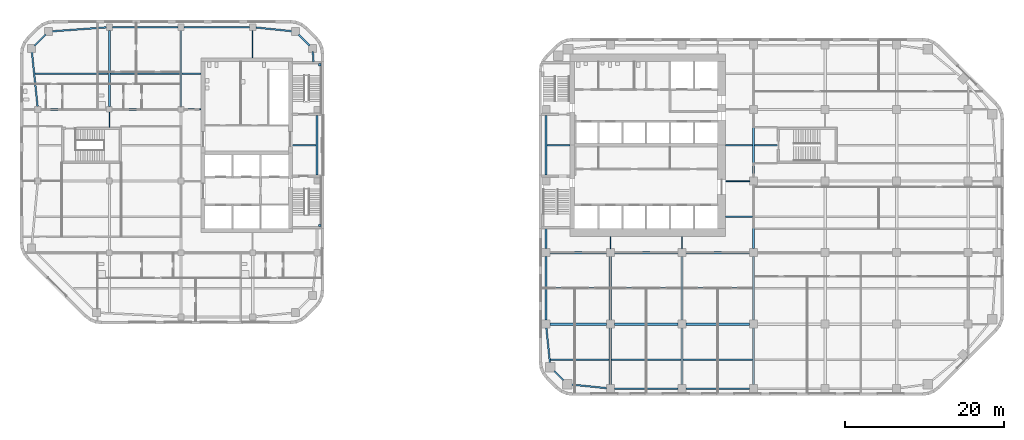
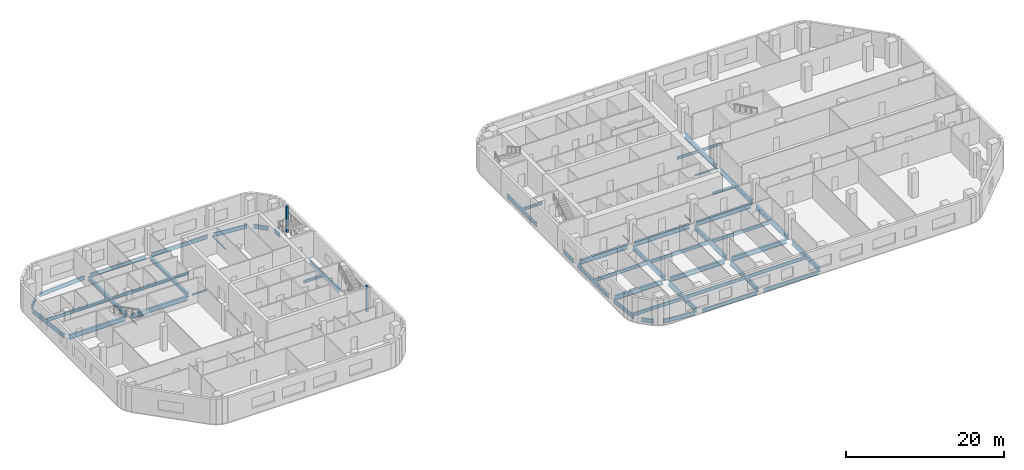
# One storey, part 2 of 16: 55 beams, 2 members.
"""IFC4 building model written with IfcOpenShell, lengths in metres."""

from ifc_helpers import new_model, si_unit, direction, frame, origin, origin_2d, place, context, subcontext, project, spatial, rectangle, i_section, extrude, material, material_profile, profile_set, type_object, element, save


model = new_model("IFC4")

# Units and contexts
model_context = context("Model", 3, precision=1e-05, world=origin(), true_north=direction((0.0, 1.0)))
body_context = subcontext(model_context, "Body", "Model", "MODEL_VIEW")
ifc_project = project(units=[si_unit("LENGTHUNIT", "METRE"), si_unit("AREAUNIT", "SQUARE_METRE"), si_unit("VOLUMEUNIT", "CUBIC_METRE"), si_unit("PLANEANGLEUNIT", "RADIAN"), si_unit("MASSUNIT", "GRAM", prefix="KILO")], contexts=[model_context])

# Site, building, storey
site_placement = place(None, origin())
site = spatial("IfcSite", under=ifc_project, at=site_placement, CompositionType="ELEMENT")
building_placement = place(site_placement, origin())
building = spatial("IfcBuilding", under=site, at=building_placement, Name="Cinnabar Reach Civic Tower", CompositionType="ELEMENT")
storey_placement = place(building_placement, frame((0.0, 0.0, 83.0)))
storey = spatial("IfcBuildingStorey", under=building, at=storey_placement, Name="L19", CompositionType="ELEMENT", Elevation=83.0)

# Beams
ifc_material_1 = material(Name="Steel Q355B", Category="steel")
ifc_material_profile_1 = material_profile(ifc_material_1, i_section(OverallWidth=0.302, OverallDepth=0.594, WebThickness=0.014, FlangeThickness=0.023, FilletRadius=0.016, at=origin_2d()), Name="HM594x302x14x23")
ifc_profile_set_1 = profile_set([ifc_material_profile_1], Name="Steel Q355B")
beam_type_1 = type_object("IfcBeamType", Name="HM594x302x14x23 beam R 120", PredefinedType="BEAM", material=ifc_profile_set_1)
for number, where, z_axis, x_axis, name in (
    (1, (-54.0, 36.352, -0.447), (0.0, 1.0, 0.0), (-1.0, 0.0, 0.0), "Girder T2 L19 5"),
    (2, (-45.0, 36.352, -0.447), (0.0, 1.0, 0.0), (-1.0, 0.0, 0.0), "Girder T2 L19 9"),
):
    element("IfcBeam", number, at=place(storey_placement, frame(where, z_axis=z_axis, x_axis=x_axis)), inside=storey, type_object=beam_type_1, Name=name, PredefinedType="BEAM", context=body_context, shape_type="SweptSolid", body=[
        extrude(i_section(OverallWidth=0.302, OverallDepth=0.594, WebThickness=0.014, FlangeThickness=0.023, FilletRadius=0.016, at=origin_2d()), origin(), (0.0, 0.0, 1.0), 9.596),
    ])
ifc_material_profile_2 = material_profile(ifc_material_1, i_section(OverallWidth=0.099, OverallDepth=0.198, WebThickness=0.0045, FlangeThickness=0.007, FilletRadius=0.013, at=origin_2d()), Name="HN200x100x5.5x8")
ifc_profile_set_2 = profile_set([ifc_material_profile_2], Name="Steel Q355B")
beam_type_2 = type_object("IfcBeamType", Name="HN200x100x5.5x8 beam R 120", PredefinedType="BEAM", material=ifc_profile_set_2)
beam_1_placement = place(storey_placement, frame((-54.0, 33.752, -0.249), z_axis=(0.0, 1.0, 0.0), x_axis=(-1.0, 0.0, 0.0)))
element("IfcBeam", 3, at=beam_1_placement, inside=storey, type_object=beam_type_2, Name="Girder T2 L19 4", PredefinedType="BEAM", context=body_context, shape_type="SweptSolid", body=[
    extrude(i_section(OverallWidth=0.099, OverallDepth=0.198, WebThickness=0.0045, FlangeThickness=0.007, FilletRadius=0.013, at=origin_2d()), origin(), (0.0, 0.0, 1.0), 1.896),
])
beam_2_placement = place(storey_placement, frame((-36.0, 42.502, -0.249), z_axis=(0.0, 1.0, 0.0), x_axis=(-1.0, 0.0, 0.0)))
element("IfcBeam", 4, at=beam_2_placement, inside=storey, type_object=beam_type_2, Name="Girder T2 L19 12", PredefinedType="BEAM", context=body_context, shape_type="SweptSolid", body=[
    extrude(i_section(OverallWidth=0.099, OverallDepth=0.198, WebThickness=0.0045, FlangeThickness=0.007, FilletRadius=0.013, at=origin_2d()), origin(), (0.0, 0.0, 1.0), 3.446),
])
ifc_material_profile_3 = material_profile(ifc_material_1, i_section(OverallWidth=0.099, OverallDepth=0.198, WebThickness=0.0045, FlangeThickness=0.007, FilletRadius=0.013, at=origin_2d()), Name="HN200x100x5.5x8")
ifc_profile_set_3 = profile_set([ifc_material_profile_3], Name="Steel Q355B")
beam_type_3 = type_object("IfcBeamType", Name="HN200x100x5.5x8 beam R 180", PredefinedType="BEAM", material=ifc_profile_set_3)
for number, where, z_axis, x_axis, name in (
    (5, (9.0, 18.502, -0.249), (0.0, 1.0, 0.0), (-1.0, 0.0, 0.0), "Girder T1 L19 3"),
    (6, (18.0, 18.502, -0.249), (0.0, 1.0, 0.0), (-1.0, 0.0, 0.0), "Girder T1 L19 6"),
):
    element("IfcBeam", number, at=place(storey_placement, frame(where, z_axis=z_axis, x_axis=x_axis)), inside=storey, type_object=beam_type_3, Name=name, PredefinedType="BEAM", context=body_context, shape_type="SweptSolid", body=[
        extrude(i_section(OverallWidth=0.099, OverallDepth=0.198, WebThickness=0.0045, FlangeThickness=0.007, FilletRadius=0.013, at=origin_2d()), origin(), (0.0, 0.0, 1.0), 1.496),
    ])
ifc_material_profile_4 = material_profile(ifc_material_1, i_section(OverallWidth=0.124, OverallDepth=0.248, WebThickness=0.005, FlangeThickness=0.008, FilletRadius=0.013, at=origin_2d()), Name="HN250x125x6x9")
ifc_profile_set_4 = profile_set([ifc_material_profile_4], Name="Steel Q355B")
beam_type_4 = type_object("IfcBeamType", Name="HN250x125x6x9 beam R 120", PredefinedType="BEAM", material=ifc_profile_set_4)
beam_3_placement = place(storey_placement, frame((-44.648, 36.0, -0.274), z_axis=(1.0, 0.0, 0.0), x_axis=(0.0, 1.0, 0.0)))
element("IfcBeam", 7, at=beam_3_placement, inside=storey, type_object=beam_type_4, Name="Girder T2 L19 10", PredefinedType="BEAM", context=body_context, shape_type="SweptSolid", body=[
    extrude(i_section(OverallWidth=0.124, OverallDepth=0.248, WebThickness=0.005, FlangeThickness=0.008, FilletRadius=0.013, at=origin_2d()), origin(), (0.0, 0.0, 1.0), 2.146),
])
ifc_material_profile_5 = material_profile(ifc_material_1, i_section(OverallWidth=0.124, OverallDepth=0.248, WebThickness=0.005, FlangeThickness=0.008, FilletRadius=0.013, at=origin_2d()), Name="HN250x125x6x9")
ifc_profile_set_5 = profile_set([ifc_material_profile_5], Name="Steel Q355B")
beam_type_5 = type_object("IfcBeamType", Name="HN250x125x6x9 beam R 180", PredefinedType="BEAM", material=ifc_profile_set_5)
beam_4_placement = place(storey_placement, frame((23.502, 27.0, -0.274), z_axis=(1.0, 0.0, 0.0), x_axis=(0.0, 1.0, 0.0)))
element("IfcBeam", 8, at=beam_4_placement, inside=storey, type_object=beam_type_5, Name="Girder T1 L19 15", PredefinedType="BEAM", context=body_context, shape_type="SweptSolid", body=[
    extrude(i_section(OverallWidth=0.124, OverallDepth=0.248, WebThickness=0.005, FlangeThickness=0.008, FilletRadius=0.013, at=origin_2d()), origin(), (0.0, 0.0, 1.0), 2.996),
])
ifc_material_profile_6 = material_profile(ifc_material_1, i_section(OverallWidth=0.199, OverallDepth=0.396, WebThickness=0.007, FlangeThickness=0.011, FilletRadius=0.013, at=origin_2d()), Name="HN396x199x7x11")
ifc_profile_set_6 = profile_set([ifc_material_profile_6], Name="Steel Q355B")
beam_type_6 = type_object("IfcBeamType", Name="HN396x199x7x11 beam R 120", PredefinedType="BEAM", material=ifc_profile_set_6)
beam_5_placement = place(storey_placement, frame((-30.998, 31.5, -0.348), z_axis=(1.0, 0.0, 0.0), x_axis=(0.0, 1.0, 0.0)))
element("IfcBeam", 9, at=beam_5_placement, inside=storey, type_object=beam_type_6, Name="Secondary beam T2 L19 11", PredefinedType="BEAM", context=body_context, shape_type="SweptSolid", body=[
    extrude(i_section(OverallWidth=0.199, OverallDepth=0.396, WebThickness=0.007, FlangeThickness=0.011, FilletRadius=0.013, at=origin_2d()), origin(), (0.0, 0.0, 1.0), 2.996),
])
beam_6_placement = place(storey_placement, frame((-44.847, 40.5, -0.348), z_axis=(1.0, 0.0, 0.0), x_axis=(0.0, 1.0, 0.0)))
element("IfcBeam", 10, at=beam_6_placement, inside=storey, type_object=beam_type_6, Name="Secondary beam T2 L19 14", PredefinedType="BEAM", context=body_context, shape_type="SweptSolid", body=[
    extrude(i_section(OverallWidth=0.199, OverallDepth=0.396, WebThickness=0.007, FlangeThickness=0.011, FilletRadius=0.013, at=origin_2d()), origin(), (0.0, 0.0, 1.0), 2.345),
])
ifc_material_profile_7 = material_profile(ifc_material_1, i_section(OverallWidth=0.2, OverallDepth=0.4, WebThickness=0.008, FlangeThickness=0.013, FilletRadius=0.016, at=origin_2d()), Name="HN400x200x8x13")
ifc_profile_set_7 = profile_set([ifc_material_profile_7], Name="Steel Q355B")
beam_type_7 = type_object("IfcBeamType", Name="HN400x200x8x13 beam R 180", PredefinedType="BEAM", material=ifc_profile_set_7)
beam_7_placement = place(storey_placement, frame((23.502, 22.5, -0.35), z_axis=(1.0, 0.0, 0.0), x_axis=(0.0, 1.0, 0.0)))
element("IfcBeam", 11, at=beam_7_placement, inside=storey, type_object=beam_type_7, Name="Secondary beam T1 L19 14", PredefinedType="BEAM", context=body_context, shape_type="SweptSolid", body=[
    extrude(i_section(OverallWidth=0.2, OverallDepth=0.4, WebThickness=0.008, FlangeThickness=0.013, FilletRadius=0.016, at=origin_2d()), origin(), (0.0, 0.0, 1.0), 3.346),
])
beam_8_placement = place(storey_placement, frame((1.002, 31.5, -0.35), z_axis=(1.0, 0.0, 0.0), x_axis=(0.0, 1.0, 0.0)))
element("IfcBeam", 12, at=beam_8_placement, inside=storey, type_object=beam_type_7, Name="Secondary beam T1 L19 19", PredefinedType="BEAM", context=body_context, shape_type="SweptSolid", body=[
    extrude(i_section(OverallWidth=0.2, OverallDepth=0.4, WebThickness=0.008, FlangeThickness=0.013, FilletRadius=0.016, at=origin_2d()), origin(), (0.0, 0.0, 1.0), 2.896),
])
beam_9_placement = place(storey_placement, frame((23.502, 31.5, -0.35), z_axis=(1.0, 0.0, 0.0), x_axis=(0.0, 1.0, 0.0)))
element("IfcBeam", 13, at=beam_9_placement, inside=storey, type_object=beam_type_7, Name="Secondary beam T1 L19 20", PredefinedType="BEAM", context=body_context, shape_type="SweptSolid", body=[
    extrude(i_section(OverallWidth=0.2, OverallDepth=0.4, WebThickness=0.008, FlangeThickness=0.013, FilletRadius=0.016, at=origin_2d()), origin(), (0.0, 0.0, 1.0), 3.346),
])
beam_10_placement = place(storey_placement, frame((27.152, 31.5, -0.35), z_axis=(1.0, 0.0, 0.0), x_axis=(0.0, 1.0, 0.0)))
element("IfcBeam", 14, at=beam_10_placement, inside=storey, type_object=beam_type_7, Name="Secondary beam T1 L19 21", PredefinedType="BEAM", context=body_context, shape_type="SweptSolid", body=[
    extrude(i_section(OverallWidth=0.2, OverallDepth=0.4, WebThickness=0.008, FlangeThickness=0.013, FilletRadius=0.016, at=origin_2d()), origin(), (0.0, 0.0, 1.0), 2.846),
])
ifc_material_profile_8 = material_profile(ifc_material_1, i_section(OverallWidth=0.199, OverallDepth=0.496, WebThickness=0.009, FlangeThickness=0.014, FilletRadius=0.016, at=origin_2d()), Name="HN496x199x9x14")
ifc_profile_set_8 = profile_set([ifc_material_profile_8], Name="Steel Q355B")
beam_type_8 = type_object("IfcBeamType", Name="HN496x199x9x14 beam R 120", PredefinedType="BEAM", material=ifc_profile_set_8)
beam_11_placement = place(storey_placement, frame((-63.3663, 40.5, -0.398), z_axis=(1.0, 0.0, 0.0), x_axis=(0.0, 1.0, 0.0)))
element("IfcBeam", 15, at=beam_11_placement, inside=storey, type_object=beam_type_8, Name="Secondary beam T2 L19 12", PredefinedType="BEAM", context=body_context, shape_type="SweptSolid", body=[
    extrude(i_section(OverallWidth=0.199, OverallDepth=0.496, WebThickness=0.009, FlangeThickness=0.014, FilletRadius=0.016, at=origin_2d()), origin(), (0.0, 0.0, 1.0), 9.2133),
])
beam_12_placement = place(storey_placement, frame((-53.847, 40.5, -0.398), z_axis=(1.0, 0.0, 0.0), x_axis=(0.0, 1.0, 0.0)))
element("IfcBeam", 16, at=beam_12_placement, inside=storey, type_object=beam_type_8, Name="Secondary beam T2 L19 13", PredefinedType="BEAM", context=body_context, shape_type="SweptSolid", body=[
    extrude(i_section(OverallWidth=0.199, OverallDepth=0.496, WebThickness=0.009, FlangeThickness=0.014, FilletRadius=0.016, at=origin_2d()), origin(), (0.0, 0.0, 1.0), 8.694),
])
ifc_material_profile_9 = material_profile(ifc_material_1, i_section(OverallWidth=0.2, OverallDepth=0.5, WebThickness=0.01, FlangeThickness=0.016, FilletRadius=0.016, at=origin_2d()), Name="HN500x200x10x16")
ifc_profile_set_9 = profile_set([ifc_material_profile_9], Name="Steel Q355B")
beam_type_9 = type_object("IfcBeamType", Name="HN500x200x10x16 beam R 180", PredefinedType="BEAM", material=ifc_profile_set_9)
beam_13_placement = place(storey_placement, frame((1.4636, 4.5, -0.4), z_axis=(1.0, 0.0, 0.0), x_axis=(0.0, 1.0, 0.0)))
element("IfcBeam", 17, at=beam_13_placement, inside=storey, type_object=beam_type_9, Name="Secondary beam T1 L19 1", PredefinedType="BEAM", context=body_context, shape_type="SweptSolid", body=[
    extrude(i_section(OverallWidth=0.2, OverallDepth=0.5, WebThickness=0.01, FlangeThickness=0.016, FilletRadius=0.016, at=origin_2d()), origin(), (0.0, 0.0, 1.0), 7.3844),
])
for number, where, z_axis, x_axis, name in (
    (18, (9.152, 4.5, -0.4), (1.0, 0.0, 0.0), (0.0, 1.0, 0.0), "Secondary beam T1 L19 2"),
    (19, (18.152, 4.5, -0.4), (1.0, 0.0, 0.0), (0.0, 1.0, 0.0), "Secondary beam T1 L19 3"),
):
    element("IfcBeam", number, at=place(storey_placement, frame(where, z_axis=z_axis, x_axis=x_axis)), inside=storey, type_object=beam_type_9, Name=name, PredefinedType="BEAM", context=body_context, shape_type="SweptSolid", body=[
        extrude(i_section(OverallWidth=0.2, OverallDepth=0.5, WebThickness=0.01, FlangeThickness=0.016, FilletRadius=0.016, at=origin_2d()), origin(), (0.0, 0.0, 1.0), 8.696),
    ])
beam_14_placement = place(storey_placement, frame((1.002, 13.5, -0.4), z_axis=(1.0, 0.0, 0.0), x_axis=(0.0, 1.0, 0.0)))
element("IfcBeam", 20, at=beam_14_placement, inside=storey, type_object=beam_type_9, Name="Secondary beam T1 L19 7", PredefinedType="BEAM", context=body_context, shape_type="SweptSolid", body=[
    extrude(i_section(OverallWidth=0.2, OverallDepth=0.5, WebThickness=0.01, FlangeThickness=0.016, FilletRadius=0.016, at=origin_2d()), origin(), (0.0, 0.0, 1.0), 7.846),
])
for number, where, z_axis, x_axis, name in (
    (21, (9.152, 13.5, -0.4), (1.0, 0.0, 0.0), (0.0, 1.0, 0.0), "Secondary beam T1 L19 8"),
    (22, (18.152, 13.5, -0.4), (1.0, 0.0, 0.0), (0.0, 1.0, 0.0), "Secondary beam T1 L19 9"),
):
    element("IfcBeam", number, at=place(storey_placement, frame(where, z_axis=z_axis, x_axis=x_axis)), inside=storey, type_object=beam_type_9, Name=name, PredefinedType="BEAM", context=body_context, shape_type="SweptSolid", body=[
        extrude(i_section(OverallWidth=0.2, OverallDepth=0.5, WebThickness=0.01, FlangeThickness=0.016, FilletRadius=0.016, at=origin_2d()), origin(), (0.0, 0.0, 1.0), 8.696),
    ])
ifc_material_profile_10 = material_profile(ifc_material_1, i_section(OverallWidth=0.2, OverallDepth=0.6, WebThickness=0.011, FlangeThickness=0.017, FilletRadius=0.016, at=origin_2d()), Name="HN600x200x11x17")
ifc_profile_set_10 = profile_set([ifc_material_profile_10], Name="Steel Q355B")
beam_type_10 = type_object("IfcBeamType", Name="HN600x200x11x17 beam R 120", PredefinedType="BEAM", material=ifc_profile_set_10)
beam_15_placement = place(storey_placement, frame((-27.9, 27.752, -0.45), z_axis=(0.0, 1.0, 0.0), x_axis=(-1.0, 0.0, 0.0)))
element("IfcBeam", 23, at=beam_15_placement, inside=storey, type_object=beam_type_10, Name="Edge beam T2 L19 7", PredefinedType="BEAM", context=body_context, shape_type="SweptSolid", body=[
    extrude(i_section(OverallWidth=0.2, OverallDepth=0.6, WebThickness=0.011, FlangeThickness=0.017, FilletRadius=0.016, at=origin_2d()), origin(), (0.0, 0.0, 1.0), 7.496),
])
beam_16_placement = place(storey_placement, frame((-28.3341, 42.002, -0.45), z_axis=(-0.072116143061, 0.997396241175, 0.0), x_axis=(-0.997396241175, -0.072116143061, 0.0)))
element("IfcBeam", 24, at=beam_16_placement, inside=storey, type_object=beam_type_10, Name="Edge beam T2 L19 8", PredefinedType="BEAM", context=body_context, shape_type="SweptSolid", body=[
    extrude(i_section(OverallWidth=0.2, OverallDepth=0.6, WebThickness=0.011, FlangeThickness=0.017, FilletRadius=0.016, at=origin_2d()), origin(), (0.0, 0.0, 1.0), 1.2674),
])
beam_17_placement = place(storey_placement, frame((-28.8351, 44.0301, -0.45), z_axis=(-0.707106781187, 0.707106781187, 0.0), x_axis=(-0.707106781187, -0.707106781187, 0.0)))
element("IfcBeam", 25, at=beam_17_placement, inside=storey, type_object=beam_type_10, Name="Edge beam T2 L19 9", PredefinedType="BEAM", context=body_context, shape_type="SweptSolid", body=[
    extrude(i_section(OverallWidth=0.2, OverallDepth=0.6, WebThickness=0.011, FlangeThickness=0.017, FilletRadius=0.016, at=origin_2d()), origin(), (0.0, 0.0, 1.0), 1.9584),
])
beam_18_placement = place(storey_placement, frame((-30.9839, 45.836, -0.45), z_axis=(-0.994791084875, 0.101934770579, 0.0), x_axis=(-0.101934770579, -0.994791084875, 0.0)))
element("IfcBeam", 26, at=beam_18_placement, inside=storey, type_object=beam_type_10, Name="Edge beam T2 L19 10", PredefinedType="BEAM", context=body_context, shape_type="SweptSolid", body=[
    extrude(i_section(OverallWidth=0.2, OverallDepth=0.6, WebThickness=0.011, FlangeThickness=0.017, FilletRadius=0.016, at=origin_2d()), origin(), (0.0, 0.0, 1.0), 4.6383),
])
for number, where, z_axis, x_axis, name in (
    (27, (-36.402, 46.35, -0.45), (-1.0, 0.0, 0.0), (0.0, -1.0, 0.0), "Edge beam T2 L19 11"),
    (28, (-45.402, 46.35, -0.45), (-1.0, 0.0, 0.0), (0.0, -1.0, 0.0), "Edge beam T2 L19 12"),
):
    element("IfcBeam", number, at=place(storey_placement, frame(where, z_axis=z_axis, x_axis=x_axis)), inside=storey, type_object=beam_type_10, Name=name, PredefinedType="BEAM", context=body_context, shape_type="SweptSolid", body=[
        extrude(i_section(OverallWidth=0.2, OverallDepth=0.6, WebThickness=0.011, FlangeThickness=0.017, FilletRadius=0.016, at=origin_2d()), origin(), (0.0, 0.0, 1.0), 8.196),
    ])
beam_19_placement = place(storey_placement, frame((-54.402, 46.3209, -0.45), z_axis=(-0.997395244781, -0.072129922278, 0.0), x_axis=(0.072129922278, -0.997395244781, 0.0)))
element("IfcBeam", 29, at=beam_19_placement, inside=storey, type_object=beam_type_10, Name="Edge beam T2 L19 13", PredefinedType="BEAM", context=body_context, shape_type="SweptSolid", body=[
    extrude(i_section(OverallWidth=0.2, OverallDepth=0.6, WebThickness=0.011, FlangeThickness=0.017, FilletRadius=0.016, at=origin_2d()), origin(), (0.0, 0.0, 1.0), 6.882),
])
beam_20_placement = place(storey_placement, frame((-62.0301, 45.4149, -0.45), z_axis=(-0.707106781187, -0.707106781187, 0.0), x_axis=(0.707106781187, -0.707106781187, 0.0)))
element("IfcBeam", 30, at=beam_20_placement, inside=storey, type_object=beam_type_10, Name="Edge beam T2 L19 14", PredefinedType="BEAM", context=body_context, shape_type="SweptSolid", body=[
    extrude(i_section(OverallWidth=0.2, OverallDepth=0.6, WebThickness=0.011, FlangeThickness=0.017, FilletRadius=0.016, at=origin_2d()), origin(), (0.0, 0.0, 1.0), 1.9584),
])
beam_21_placement = place(storey_placement, frame((-63.7571, 43.2661, -0.45), z_axis=(0.103633260175, -0.994615577691, 0.0), x_axis=(0.994615577691, 0.103633260175, 0.0)))
element("IfcBeam", 31, at=beam_21_placement, inside=storey, type_object=beam_type_10, Name="Edge beam T2 L19 15", PredefinedType="BEAM", context=body_context, shape_type="SweptSolid", body=[
    extrude(i_section(OverallWidth=0.2, OverallDepth=0.6, WebThickness=0.011, FlangeThickness=0.017, FilletRadius=0.016, at=origin_2d()), origin(), (0.0, 0.0, 1.0), 6.9013),
])
ifc_material_profile_11 = material_profile(ifc_material_1, i_section(OverallWidth=0.2, OverallDepth=0.6, WebThickness=0.011, FlangeThickness=0.017, FilletRadius=0.016, at=origin_2d()), Name="HN600x200x11x17")
ifc_profile_set_11 = profile_set([ifc_material_profile_11], Name="Steel Q355B")
beam_type_11 = type_object("IfcBeamType", Name="HN600x200x11x17 beam R 180", PredefinedType="BEAM", material=ifc_profile_set_11)
beam_22_placement = place(storey_placement, frame((4.0839, 1.4037, -0.45), z_axis=(0.994791228755, -0.101933366432, 0.0), x_axis=(0.101933366432, 0.994791228755, 0.0)))
element("IfcBeam", 32, at=beam_22_placement, inside=storey, type_object=beam_type_11, Name="Edge beam T1 L19 1", PredefinedType="BEAM", context=body_context, shape_type="SweptSolid", body=[
    extrude(i_section(OverallWidth=0.2, OverallDepth=0.6, WebThickness=0.011, FlangeThickness=0.017, FilletRadius=0.016, at=origin_2d()), origin(), (0.0, 0.0, 1.0), 4.4372),
])
for number, where, z_axis, x_axis, name in (
    (33, (9.502, 0.9, -0.45), (1.0, 0.0, 0.0), (0.0, 1.0, 0.0), "Edge beam T1 L19 2"),
    (34, (18.502, 0.9, -0.45), (1.0, 0.0, 0.0), (0.0, 1.0, 0.0), "Edge beam T1 L19 3"),
):
    element("IfcBeam", number, at=place(storey_placement, frame(where, z_axis=z_axis, x_axis=x_axis)), inside=storey, type_object=beam_type_11, Name=name, PredefinedType="BEAM", context=body_context, shape_type="SweptSolid", body=[
        extrude(i_section(OverallWidth=0.2, OverallDepth=0.6, WebThickness=0.011, FlangeThickness=0.017, FilletRadius=0.016, at=origin_2d()), origin(), (0.0, 0.0, 1.0), 7.996),
    ])
beam_23_placement = place(storey_placement, frame((0.9, 35.248, -0.45), z_axis=(0.0, -1.0, 0.0), x_axis=(1.0, 0.0, 0.0)))
element("IfcBeam", 35, at=beam_23_placement, inside=storey, type_object=beam_type_11, Name="Edge beam T1 L19 20", PredefinedType="BEAM", context=body_context, shape_type="SweptSolid", body=[
    extrude(i_section(OverallWidth=0.2, OverallDepth=0.6, WebThickness=0.011, FlangeThickness=0.017, FilletRadius=0.016, at=origin_2d()), origin(), (0.0, 0.0, 1.0), 7.496),
])
beam_24_placement = place(storey_placement, frame((0.9, 20.998, -0.45), z_axis=(0.0, -1.0, 0.0), x_axis=(1.0, 0.0, 0.0)))
element("IfcBeam", 36, at=beam_24_placement, inside=storey, type_object=beam_type_11, Name="Edge beam T1 L19 21", PredefinedType="BEAM", context=body_context, shape_type="SweptSolid", body=[
    extrude(i_section(OverallWidth=0.2, OverallDepth=0.6, WebThickness=0.011, FlangeThickness=0.017, FilletRadius=0.016, at=origin_2d()), origin(), (0.0, 0.0, 1.0), 2.496),
])
beam_25_placement = place(storey_placement, frame((0.9, 17.498, -0.45), z_axis=(0.0, -1.0, 0.0), x_axis=(1.0, 0.0, 0.0)))
element("IfcBeam", 37, at=beam_25_placement, inside=storey, type_object=beam_type_11, Name="Edge beam T1 L19 22", PredefinedType="BEAM", context=body_context, shape_type="SweptSolid", body=[
    extrude(i_section(OverallWidth=0.2, OverallDepth=0.6, WebThickness=0.011, FlangeThickness=0.017, FilletRadius=0.016, at=origin_2d()), origin(), (0.0, 0.0, 1.0), 7.996),
])
beam_26_placement = place(storey_placement, frame((0.9514, 8.498, -0.45), z_axis=(0.101933366432, -0.994791228755, 0.0), x_axis=(0.994791228755, 0.101933366432, 0.0)))
element("IfcBeam", 38, at=beam_26_placement, inside=storey, type_object=beam_type_11, Name="Edge beam T1 L19 23", PredefinedType="BEAM", context=body_context, shape_type="SweptSolid", body=[
    extrude(i_section(OverallWidth=0.2, OverallDepth=0.6, WebThickness=0.011, FlangeThickness=0.017, FilletRadius=0.016, at=origin_2d()), origin(), (0.0, 0.0, 1.0), 4.4372),
])
beam_27_placement = place(storey_placement, frame((1.9351, 3.1199, -0.45), z_axis=(0.707106781187, -0.707106781187, 0.0), x_axis=(0.707106781187, 0.707106781187, 0.0)))
element("IfcBeam", 39, at=beam_27_placement, inside=storey, type_object=beam_type_11, Name="Edge beam T1 L19 24", PredefinedType="BEAM", context=body_context, shape_type="SweptSolid", body=[
    extrude(i_section(OverallWidth=0.2, OverallDepth=0.6, WebThickness=0.011, FlangeThickness=0.017, FilletRadius=0.016, at=origin_2d()), origin(), (0.0, 0.0, 1.0), 1.6756),
])
ifc_material_profile_12 = material_profile(ifc_material_1, i_section(OverallWidth=0.3, OverallDepth=0.692, WebThickness=0.013, FlangeThickness=0.02, FilletRadius=0.016, at=origin_2d()), Name="HN692x300x13x20")
ifc_profile_set_12 = profile_set([ifc_material_profile_12], Name="Steel Q355B")
beam_type_12 = type_object("IfcBeamType", Name="HN692x300x13x20 beam R 120", PredefinedType="BEAM", material=ifc_profile_set_12)
beam_28_placement = place(storey_placement, frame((-62.598, 36.0, -0.496), z_axis=(1.0, 0.0, 0.0), x_axis=(0.0, 1.0, 0.0)))
element("IfcBeam", 40, at=beam_28_placement, inside=storey, type_object=beam_type_12, Name="Girder T2 L19 8", PredefinedType="BEAM", context=body_context, shape_type="SweptSolid", body=[
    extrude(i_section(OverallWidth=0.3, OverallDepth=0.692, WebThickness=0.013, FlangeThickness=0.02, FilletRadius=0.016, at=origin_2d()), origin(), (0.0, 0.0, 1.0), 8.246),
])
beam_29_placement = place(storey_placement, frame((-53.648, 36.0, -0.496), z_axis=(1.0, 0.0, 0.0), x_axis=(0.0, 1.0, 0.0)))
element("IfcBeam", 41, at=beam_29_placement, inside=storey, type_object=beam_type_12, Name="Girder T2 L19 9", PredefinedType="BEAM", context=body_context, shape_type="SweptSolid", body=[
    extrude(i_section(OverallWidth=0.3, OverallDepth=0.692, WebThickness=0.013, FlangeThickness=0.02, FilletRadius=0.016, at=origin_2d()), origin(), (0.0, 0.0, 1.0), 8.296),
])
ifc_material_profile_13 = material_profile(ifc_material_1, i_section(OverallWidth=0.3, OverallDepth=0.692, WebThickness=0.013, FlangeThickness=0.02, FilletRadius=0.016, at=origin_2d()), Name="HN692x300x13x20")
ifc_profile_set_13 = profile_set([ifc_material_profile_13], Name="Steel Q355B")
beam_type_13 = type_object("IfcBeamType", Name="HN692x300x13x20 beam R 180", PredefinedType="BEAM", material=ifc_profile_set_13)
beam_30_placement = place(storey_placement, frame((9.0, 1.402, -0.496), z_axis=(0.0, 1.0, 0.0), x_axis=(-1.0, 0.0, 0.0)))
element("IfcBeam", 42, at=beam_30_placement, inside=storey, type_object=beam_type_13, Name="Girder T1 L19 1", PredefinedType="BEAM", context=body_context, shape_type="SweptSolid", body=[
    extrude(i_section(OverallWidth=0.3, OverallDepth=0.692, WebThickness=0.013, FlangeThickness=0.02, FilletRadius=0.016, at=origin_2d()), origin(), (0.0, 0.0, 1.0), 7.096),
])
beam_31_placement = place(storey_placement, frame((9.0, 9.502, -0.496), z_axis=(0.0, 1.0, 0.0), x_axis=(-1.0, 0.0, 0.0)))
element("IfcBeam", 43, at=beam_31_placement, inside=storey, type_object=beam_type_13, Name="Girder T1 L19 2", PredefinedType="BEAM", context=body_context, shape_type="SweptSolid", body=[
    extrude(i_section(OverallWidth=0.3, OverallDepth=0.692, WebThickness=0.013, FlangeThickness=0.02, FilletRadius=0.016, at=origin_2d()), origin(), (0.0, 0.0, 1.0), 7.996),
])
beam_32_placement = place(storey_placement, frame((18.0, 1.402, -0.496), z_axis=(0.0, 1.0, 0.0), x_axis=(-1.0, 0.0, 0.0)))
element("IfcBeam", 44, at=beam_32_placement, inside=storey, type_object=beam_type_13, Name="Girder T1 L19 4", PredefinedType="BEAM", context=body_context, shape_type="SweptSolid", body=[
    extrude(i_section(OverallWidth=0.3, OverallDepth=0.692, WebThickness=0.013, FlangeThickness=0.02, FilletRadius=0.016, at=origin_2d()), origin(), (0.0, 0.0, 1.0), 7.096),
])
beam_33_placement = place(storey_placement, frame((18.0, 9.502, -0.496), z_axis=(0.0, 1.0, 0.0), x_axis=(-1.0, 0.0, 0.0)))
element("IfcBeam", 45, at=beam_33_placement, inside=storey, type_object=beam_type_13, Name="Girder T1 L19 5", PredefinedType="BEAM", context=body_context, shape_type="SweptSolid", body=[
    extrude(i_section(OverallWidth=0.3, OverallDepth=0.692, WebThickness=0.013, FlangeThickness=0.02, FilletRadius=0.016, at=origin_2d()), origin(), (0.0, 0.0, 1.0), 7.996),
])
beam_34_placement = place(storey_placement, frame((27.0, 1.402, -0.496), z_axis=(0.0, 1.0, 0.0), x_axis=(-1.0, 0.0, 0.0)))
element("IfcBeam", 46, at=beam_34_placement, inside=storey, type_object=beam_type_13, Name="Girder T1 L19 7", PredefinedType="BEAM", context=body_context, shape_type="SweptSolid", body=[
    extrude(i_section(OverallWidth=0.3, OverallDepth=0.692, WebThickness=0.013, FlangeThickness=0.02, FilletRadius=0.016, at=origin_2d()), origin(), (0.0, 0.0, 1.0), 7.096),
])
for number, where, z_axis, x_axis, name in (
    (47, (27.0, 9.502, -0.496), (0.0, 1.0, 0.0), (-1.0, 0.0, 0.0), "Girder T1 L19 8"),
    (48, (27.0, 18.502, -0.496), (0.0, 1.0, 0.0), (-1.0, 0.0, 0.0), "Girder T1 L19 9"),
    (49, (27.0, 27.502, -0.496), (0.0, 1.0, 0.0), (-1.0, 0.0, 0.0), "Girder T1 L19 10"),
):
    element("IfcBeam", number, at=place(storey_placement, frame(where, z_axis=z_axis, x_axis=x_axis)), inside=storey, type_object=beam_type_13, Name=name, PredefinedType="BEAM", context=body_context, shape_type="SweptSolid", body=[
        extrude(i_section(OverallWidth=0.3, OverallDepth=0.692, WebThickness=0.013, FlangeThickness=0.02, FilletRadius=0.016, at=origin_2d()), origin(), (0.0, 0.0, 1.0), 7.996),
    ])
ifc_material_profile_14 = material_profile(ifc_material_1, i_section(OverallWidth=0.3, OverallDepth=0.7, WebThickness=0.013, FlangeThickness=0.024, FilletRadius=0.02, at=origin_2d()), Name="HN700x300x13x24")
ifc_profile_set_14 = profile_set([ifc_material_profile_14], Name="Steel Q355B")
beam_type_14 = type_object("IfcBeamType", Name="HN700x300x13x24 beam R 180", PredefinedType="BEAM", material=ifc_profile_set_14)
beam_35_placement = place(storey_placement, frame((1.402, 9.0, -0.5), z_axis=(1.0, 0.0, 0.0), x_axis=(0.0, 1.0, 0.0)))
element("IfcBeam", 50, at=beam_35_placement, inside=storey, type_object=beam_type_14, Name="Girder T1 L19 1", PredefinedType="BEAM", context=body_context, shape_type="SweptSolid", body=[
    extrude(i_section(OverallWidth=0.3, OverallDepth=0.7, WebThickness=0.013, FlangeThickness=0.024, FilletRadius=0.02, at=origin_2d()), origin(), (0.0, 0.0, 1.0), 7.096),
])
for number, where, z_axis, x_axis, name in (
    (51, (9.502, 9.0, -0.5), (1.0, 0.0, 0.0), (0.0, 1.0, 0.0), "Girder T1 L19 2"),
    (52, (18.502, 9.0, -0.5), (1.0, 0.0, 0.0), (0.0, 1.0, 0.0), "Girder T1 L19 3"),
):
    element("IfcBeam", number, at=place(storey_placement, frame(where, z_axis=z_axis, x_axis=x_axis)), inside=storey, type_object=beam_type_14, Name=name, PredefinedType="BEAM", context=body_context, shape_type="SweptSolid", body=[
        extrude(i_section(OverallWidth=0.3, OverallDepth=0.7, WebThickness=0.013, FlangeThickness=0.024, FilletRadius=0.02, at=origin_2d()), origin(), (0.0, 0.0, 1.0), 7.996),
    ])
beam_36_placement = place(storey_placement, frame((1.402, 18.0, -0.5), z_axis=(1.0, 0.0, 0.0), x_axis=(0.0, 1.0, 0.0)))
element("IfcBeam", 53, at=beam_36_placement, inside=storey, type_object=beam_type_14, Name="Girder T1 L19 8", PredefinedType="BEAM", context=body_context, shape_type="SweptSolid", body=[
    extrude(i_section(OverallWidth=0.3, OverallDepth=0.7, WebThickness=0.013, FlangeThickness=0.024, FilletRadius=0.02, at=origin_2d()), origin(), (0.0, 0.0, 1.0), 7.096),
])
for number, where, z_axis, x_axis, name in (
    (54, (9.502, 18.0, -0.5), (1.0, 0.0, 0.0), (0.0, 1.0, 0.0), "Girder T1 L19 9"),
    (55, (18.502, 18.0, -0.5), (1.0, 0.0, 0.0), (0.0, 1.0, 0.0), "Girder T1 L19 10"),
):
    element("IfcBeam", number, at=place(storey_placement, frame(where, z_axis=z_axis, x_axis=x_axis)), inside=storey, type_object=beam_type_14, Name=name, PredefinedType="BEAM", context=body_context, shape_type="SweptSolid", body=[
        extrude(i_section(OverallWidth=0.3, OverallDepth=0.7, WebThickness=0.013, FlangeThickness=0.024, FilletRadius=0.02, at=origin_2d()), origin(), (0.0, 0.0, 1.0), 7.996),
    ])

# Members
ifc_material_2 = material(Name="Concrete C40", Category="concrete")
ifc_material_profile_15 = material_profile(ifc_material_2, rectangle(XDim=0.3, YDim=0.3, at=origin_2d()), Name="C300")
ifc_profile_set_15 = profile_set([ifc_material_profile_15], Name="Concrete C40")
member_type = type_object("IfcMemberType", Name="T2 stair post 300", PredefinedType="STRUT", material=ifc_profile_set_15)
for number, where, z_axis, x_axis, name in (
    (56, (-27.55, 21.4, 0.0), (0.0, 0.0, 1.0), (1.0, 0.0, 0.0), "Stair post 1"),
    (57, (-27.55, 41.6, 0.0), (0.0, 0.0, 1.0), (1.0, 0.0, 0.0), "Stair post 2"),
):
    element("IfcMember", number, at=place(storey_placement, frame(where, z_axis=z_axis, x_axis=x_axis)), inside=storey, type_object=member_type, Name=name, PredefinedType="STRUT", context=body_context, shape_type="SweptSolid", body=[
        extrude(rectangle(XDim=0.3, YDim=0.3, at=origin_2d()), origin(), (0.0, 0.0, 1.0), 4.0),
    ])

save(model, "model.ifc")
